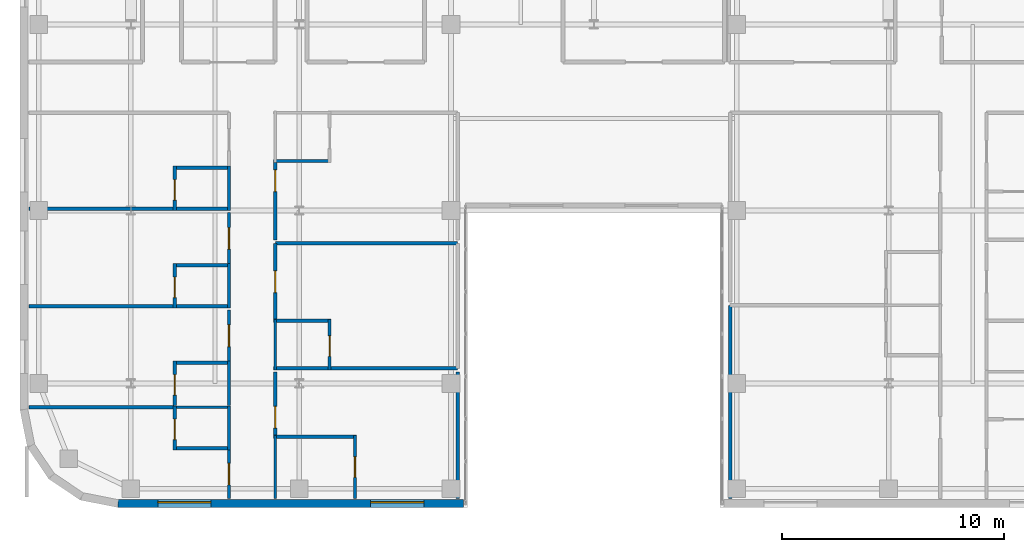
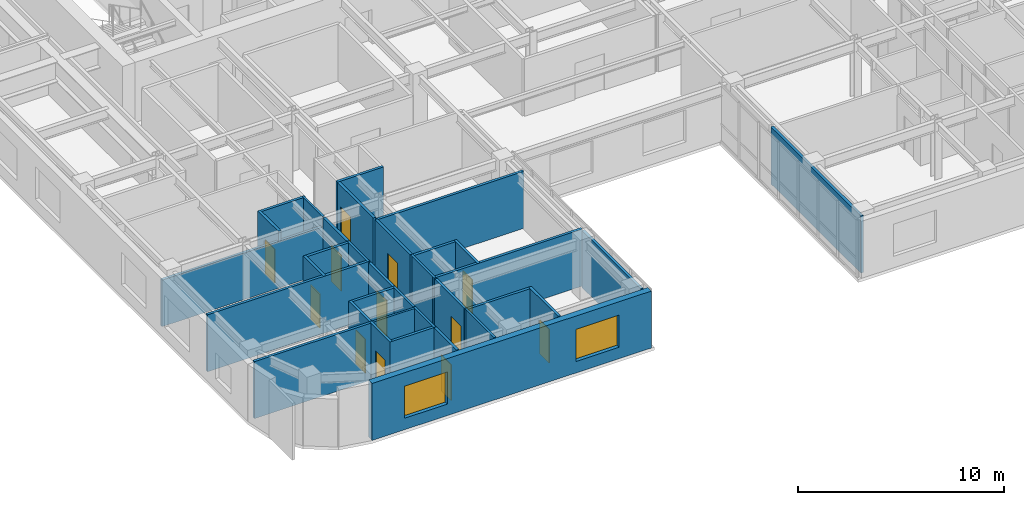
# One storey, part 7 of 14: 34 walls, 12 doors, 2 windows, 14 openings.
"""IFC4 building model written with IfcOpenShell, lengths in metres."""

from ifc_helpers import new_model, si_unit, direction, frame, frame_2d, origin, place, context, subcontext, project, spatial, rectangle, extrude, source, transform, mapped, material, layer, layer_set, type_object, type_shapes, element, fill, save


model = new_model("IFC4")

# Units and contexts
model_context = context("Model", 3, precision=1e-05, world=origin(), true_north=direction((0.0, 1.0)))
body_context = subcontext(model_context, "Body", "Model", "MODEL_VIEW")
ifc_project = project(units=[si_unit("LENGTHUNIT", "METRE"), si_unit("AREAUNIT", "SQUARE_METRE"), si_unit("VOLUMEUNIT", "CUBIC_METRE"), si_unit("PLANEANGLEUNIT", "RADIAN"), si_unit("MASSUNIT", "GRAM", prefix="KILO")], contexts=[model_context])

# Site, building, storey
site_placement = place(None, origin())
site = spatial("IfcSite", under=ifc_project, at=site_placement, CompositionType="ELEMENT")
building_placement = place(site_placement, origin())
building = spatial("IfcBuilding", under=site, at=building_placement, Name="Tolvann Quenvar Hotel", CompositionType="ELEMENT")
storey_placement = place(building_placement, frame((0.0, 0.0, 187.550048828125)))
storey = spatial("IfcBuildingStorey", under=building, at=storey_placement, Name="L49", CompositionType="ELEMENT", Elevation=187.550048828125)

# Wall, openings, windows
ifc_material_1 = material(Name="Kiln-fired red and buff architectural clay brickwork and terracotta masonry", Category="masonry")
ifc_layer_1 = layer(ifc_material_1, 0.35009765625)
ifc_layer_set_1 = layer_set([ifc_layer_1], Name="Kiln-fired red and buff architectural clay brickwork and terracotta masonry")
wall_type_1 = type_object("IfcWallType", Name="WALL_EXT_BRICK_350", PredefinedType="SOLIDWALL", material=ifc_layer_set_1)
wall_1_placement = place(storey_placement, frame((7.01708984375, 2.77490234375, 0.0), z_axis=(0.0, 0.0, 1.0), x_axis=(1.0, 0.0, 0.0)))
wall_1 = element("IfcWall", 1, at=wall_1_placement, inside=storey, type_object=wall_type_1, Name="Exterior Chicago Brick Wall L49-E04", PredefinedType="SOLIDWALL", context=body_context, shape_type="SweptSolid", body=[
    extrude(rectangle(XDim=15.60791015625, YDim=0.35009765625, at=frame_2d((7.803955078125, 0.0))), origin(), (0.0, 0.0, 1.0), 3.369873046875),
])
opening_1_placement = place(wall_1_placement, frame((1.801025390625, 0.0, 0.679931640625)))
opening_1 = element("IfcOpeningElement", 2, at=opening_1_placement, cuts=wall_1, Name="Opening W-01", PredefinedType="OPENING", context=body_context, shape_type="SweptSolid", body=[
    extrude(rectangle(XDim=2.39990234375, YDim=1.89990234375, at=frame_2d((1.199951171875, 0.949951171875))), frame((0.0, 0.18505859375, 0.0), z_axis=(0.0, -1.0, 0.0), x_axis=(1.0, 0.0, 0.0)), (0.0, 0.0, 1.0), 0.3701171875),
])
opening_2_placement = place(wall_1_placement, frame((11.406982421875, 0.0, 0.679931640625)))
opening_2 = element("IfcOpeningElement", 3, at=opening_2_placement, cuts=wall_1, Name="Opening W-01", PredefinedType="OPENING", context=body_context, shape_type="SweptSolid", body=[
    extrude(rectangle(XDim=2.39990234375, YDim=1.89990234375, at=frame_2d((1.199951171875, 0.949951171875))), frame((0.0, 0.18505859375, 0.0), z_axis=(0.0, -1.0, 0.0), x_axis=(1.0, 0.0, 0.0)), (0.0, 0.0, 1.0), 0.3701171875),
])
ifc_material_2 = material(Name="Thermally broken bronze-anodised aluminium frame with double low-E glazing", Category="aluminium")
window_type = type_object("IfcWindowType", Name="WIN_CHI_2400x2050", PartitioningType="TRIPLE_PANEL_HORIZONTAL", PredefinedType="WINDOW", material=ifc_material_2)
shared_shape_1 = source(origin(), body_context, "Body", "SweptSolid", [
    extrude(rectangle(XDim=2.39990234375, YDim=1.89990234375, at=frame_2d((1.199951171875, 0.949951171875))), frame((0.0, 0.090087890625, 0.0), z_axis=(0.0, -1.0, 0.0), x_axis=(1.0, 0.0, 0.0)), (0.0, 0.0, 1.0), 0.06005859375),
])
type_shapes(window_type, [shared_shape_1])
window_1_placement = place(opening_1_placement, origin())
window_1 = element("IfcWindow", 4, at=window_1_placement, inside=storey, type_object=window_type, Name="Chicago Window W-01 (EW-L49-E04-W01)", OverallHeight=1.89990234375, OverallWidth=2.39990234375, PartitioningType="TRIPLE_PANEL_HORIZONTAL", PredefinedType="WINDOW", context=body_context, shape_type="MappedRepresentation", body=[
    mapped(shared_shape_1, transform((0.0, 0.0, 0.0), x_axis=(1.0, 0.0, 0.0), y_axis=(0.0, 1.0, 0.0), z_axis=(0.0, 0.0, 1.0), scale=1.0)),
])
fill(opening_1, window_1)
window_2_placement = place(opening_2_placement, origin())
window_2 = element("IfcWindow", 5, at=window_2_placement, inside=storey, type_object=window_type, Name="Chicago Window W-01 (EW-L49-E04-W02)", OverallHeight=1.89990234375, OverallWidth=2.39990234375, PartitioningType="TRIPLE_PANEL_HORIZONTAL", PredefinedType="WINDOW", context=body_context, shape_type="MappedRepresentation", body=[
    mapped(shared_shape_1, transform((0.0, 0.0, 0.0), x_axis=(1.0, 0.0, 0.0), y_axis=(0.0, 1.0, 0.0), z_axis=(0.0, 0.0, 1.0), scale=1.0)),
])
fill(opening_2, window_2)

# Walls
ifc_material_3 = material(Name="Moisture-resistant acoustic plumbing wall assembly")
ifc_layer_2 = layer(ifc_material_3, 0.1201171875)
ifc_layer_set_2 = layer_set([ifc_layer_2], Name="Moisture-resistant acoustic plumbing wall assembly")
wall_type_2 = type_object("IfcWallType", Name="WALL_PART_BATH_120", PredefinedType="PLUMBINGWALL", material=ifc_layer_set_2)
wall_2_placement = place(storey_placement, frame((9.510009765625, 7.1201171875, 0.0), z_axis=(0.0, 0.0, 1.0), x_axis=(1.0, 0.0, 0.0)))
element("IfcWall", 6, at=wall_2_placement, inside=storey, type_object=wall_type_2, Name="Non-Rated Plumbing Partition PT-SPC-L49-ENS-WO01-N", PredefinedType="PLUMBINGWALL", context=body_context, shape_type="SweptSolid", body=[
    extrude(rectangle(XDim=2.590087890625, YDim=0.1201171875, at=frame_2d((1.294921875, 0.0))), origin(), (0.0, 0.0, 1.0), 3.369873046875),
])
for number, where, z_axis, x_axis, name in (
    (7, (12.030029296875, 5.199951171875, 0.0), (0.0, 0.0, 1.0), (0.0, 1.0, 0.0), "Non-Rated Plumbing Partition PT-SPC-L49-ENS-WO01-E"),
    (8, (12.030029296875, 7.2099609375, 0.0), (0.0, 0.0, 1.0), (0.0, 1.0, 0.0), "Non-Rated Plumbing Partition PT-SPC-L49-ENS-WO02-E"),
    (9, (12.030029296875, 11.610107421875, 0.0), (0.0, 0.0, 1.0), (0.0, 1.0, 0.0), "Non-Rated Plumbing Partition PT-SPC-L49-ENS-WO03-E"),
    (10, (12.030029296875, 16.010009765625, 0.0), (0.0, 0.0, 1.0), (0.0, 1.0, 0.0), "Non-Rated Plumbing Partition PT-SPC-L49-ENS-WO04-E"),
):
    element("IfcWall", number, at=place(storey_placement, frame(where, z_axis=z_axis, x_axis=x_axis)), inside=storey, type_object=wall_type_2, Name=name, PredefinedType="PLUMBINGWALL", context=body_context, shape_type="SweptSolid", body=[
        extrude(rectangle(XDim=1.989990234375, YDim=0.1201171875, at=frame_2d((0.9951171875, 0.0))), origin(), (0.0, 0.0, 1.0), 3.369873046875),
    ])
wall_3_placement = place(storey_placement, frame((14.1201171875, 3.0048828125, 0.0), z_axis=(0.0, 0.0, 1.0), x_axis=(0.0, 1.0, 0.0)))
element("IfcWall", 11, at=wall_3_placement, inside=storey, type_object=wall_type_2, Name="Non-Rated Plumbing Partition PT-SPC-L49-ENS-WI01-W", PredefinedType="PLUMBINGWALL", context=body_context, shape_type="SweptSolid", body=[
    extrude(rectangle(XDim=2.85205078125, YDim=0.1201171875, at=frame_2d((1.426025390625, 0.0))), origin(), (0.0, 0.0, 1.0), 3.369873046875),
])
wall_4_placement = place(storey_placement, frame((14.1201171875, 8.81005859375, 0.0), z_axis=(0.0, 0.0, 1.0), x_axis=(0.0, 1.0, 0.0)))
element("IfcWall", 12, at=wall_4_placement, inside=storey, type_object=wall_type_2, Name="Non-Rated Plumbing Partition PT-SPC-L49-ENS-WI02-W", PredefinedType="PLUMBINGWALL", context=body_context, shape_type="SweptSolid", body=[
    extrude(rectangle(XDim=2.282958984375, YDim=0.1201171875, at=frame_2d((1.1416015625, 0.0))), origin(), (0.0, 0.0, 1.0), 3.369873046875),
])

# Wall, opening, door
ifc_material_4 = material(Name="Acoustic twin-stud fire-rated gypsum plasterboard partition")
ifc_layer_3 = layer(ifc_material_4, 0.14990234375)
ifc_layer_set_3 = layer_set([ifc_layer_3], Name="Acoustic twin-stud fire-rated gypsum plasterboard partition")
wall_type_3 = type_object("IfcWallType", Name="WALL_PART_SUITE_150", PredefinedType="PARTITIONING", material=ifc_layer_set_3)
wall_5_placement = place(storey_placement, frame((9.580078125, 5.199951171875, 0.0), z_axis=(0.0, 0.0, 1.0), x_axis=(0.0, 1.0, 0.0)))
wall_5 = element("IfcWall", 13, at=wall_5_placement, inside=storey, type_object=wall_type_3, Name="Interior Partition PT-SPC-L49-ENS-WO01-ENT", PredefinedType="PARTITIONING", context=body_context, shape_type="SweptSolid", body=[
    extrude(rectangle(XDim=1.989990234375, YDim=0.14990234375, at=frame_2d((0.9951171875, 0.0))), origin(), (0.0, 0.0, 1.0), 3.369873046875),
])
opening_3_placement = place(wall_5_placement, frame((0.465087890625, 0.0, 0.0)))
opening_3 = element("IfcOpeningElement", 14, at=opening_3_placement, cuts=wall_5, Name="Opening WD-01", PredefinedType="OPENING", context=body_context, shape_type="SweptSolid", body=[
    extrude(rectangle(XDim=0.919921875, YDim=2.010009765625, at=frame_2d((0.4599609375, 1.0048828125))), frame((0.0, 0.0849609375, 0.0), z_axis=(0.0, -1.0, 0.0), x_axis=(1.0, 0.0, 0.0)), (0.0, 0.0, 1.0), 0.169921875),
])
ifc_material_5 = material(Name="Solid-core American oak acoustic fire door leaf in steel frame", Category="steel")
door_type_1 = type_object("IfcDoorType", Name="DOOR_WC_920", OperationType="NOTDEFINED", PredefinedType="DOOR", material=ifc_material_5)
shared_shape_2 = source(origin(), body_context, "Body", "SweptSolid", [
    extrude(rectangle(XDim=0.919921875, YDim=2.010009765625, at=frame_2d((0.4599609375, 1.0048828125))), frame((0.0, 0.02490234375, 0.0), z_axis=(0.0, -1.0, 0.0), x_axis=(1.0, 0.0, 0.0)), (0.0, 0.0, 1.0), 0.050048828125),
])
type_shapes(door_type_1, [shared_shape_2])
door_1_placement = place(opening_3_placement, origin())
door_1 = element("IfcDoor", 15, at=door_1_placement, inside=storey, type_object=door_type_1, Name="Interior Door DOOR-SPC-L49-ENS-WO01", OperationType="SINGLE_SWING_LEFT", OverallHeight=2.010009765625, OverallWidth=0.919921875, PredefinedType="DOOR", context=body_context, shape_type="MappedRepresentation", body=[
    mapped(shared_shape_2, transform((0.0, 0.0, 0.0), x_axis=(1.0, 0.0, 0.0), y_axis=(0.0, 1.0, 0.0), z_axis=(0.0, 0.0, 1.0), scale=1.0)),
])
fill(opening_3, door_1)

# Wall
wall_6_placement = place(storey_placement, frame((9.510009765625, 5.27001953125, 0.0), z_axis=(0.0, 0.0, 1.0), x_axis=(1.0, 0.0, 0.0)))
element("IfcWall", 16, at=wall_6_placement, inside=storey, type_object=wall_type_3, Name="Interior Partition PT-SPC-L49-ENS-WO01-S", PredefinedType="PARTITIONING", context=body_context, shape_type="SweptSolid", body=[
    extrude(rectangle(XDim=2.590087890625, YDim=0.14990234375, at=frame_2d((1.294921875, 0.0))), origin(), (0.0, 0.0, 1.0), 3.369873046875),
])

# Wall, opening, door
wall_7_placement = place(storey_placement, frame((9.580078125, 7.2099609375, 0.0), z_axis=(0.0, 0.0, 1.0), x_axis=(0.0, 1.0, 0.0)))
wall_7 = element("IfcWall", 17, at=wall_7_placement, inside=storey, type_object=wall_type_3, Name="Interior Partition PT-SPC-L49-ENS-WO02-ENT", PredefinedType="PARTITIONING", context=body_context, shape_type="SweptSolid", body=[
    extrude(rectangle(XDim=1.989990234375, YDim=0.14990234375, at=frame_2d((0.9951171875, 0.0))), origin(), (0.0, 0.0, 1.0), 3.369873046875),
])
opening_4_placement = place(wall_7_placement, frame((0.465087890625, 0.0, 0.0)))
opening_4 = element("IfcOpeningElement", 18, at=opening_4_placement, cuts=wall_7, Name="Opening WD-01", PredefinedType="OPENING", context=body_context, shape_type="SweptSolid", body=[
    extrude(rectangle(XDim=0.919921875, YDim=2.010009765625, at=frame_2d((0.4599609375, 1.0048828125))), frame((0.0, 0.0849609375, 0.0), z_axis=(0.0, -1.0, 0.0), x_axis=(1.0, 0.0, 0.0)), (0.0, 0.0, 1.0), 0.169921875),
])
door_2_placement = place(opening_4_placement, origin())
door_2 = element("IfcDoor", 19, at=door_2_placement, inside=storey, type_object=door_type_1, Name="Interior Door DOOR-SPC-L49-ENS-WO02", OperationType="SINGLE_SWING_RIGHT", OverallHeight=2.010009765625, OverallWidth=0.919921875, PredefinedType="DOOR", context=body_context, shape_type="MappedRepresentation", body=[
    mapped(shared_shape_2, transform((0.0, 0.0, 0.0), x_axis=(1.0, 0.0, 0.0), y_axis=(0.0, 1.0, 0.0), z_axis=(0.0, 0.0, 1.0), scale=1.0)),
])
fill(opening_4, door_2)

# Wall
wall_8_placement = place(storey_placement, frame((9.510009765625, 9.1298828125, 0.0), z_axis=(0.0, 0.0, 1.0), x_axis=(1.0, 0.0, 0.0)))
element("IfcWall", 20, at=wall_8_placement, inside=storey, type_object=wall_type_3, Name="Interior Partition PT-SPC-L49-ENS-WO02-N", PredefinedType="PARTITIONING", context=body_context, shape_type="SweptSolid", body=[
    extrude(rectangle(XDim=2.590087890625, YDim=0.14990234375, at=frame_2d((1.294921875, 0.0))), origin(), (0.0, 0.0, 1.0), 3.369873046875),
])

# Wall, opening, door
wall_9_placement = place(storey_placement, frame((9.580078125, 11.610107421875, 0.0), z_axis=(0.0, 0.0, 1.0), x_axis=(0.0, 1.0, 0.0)))
wall_9 = element("IfcWall", 21, at=wall_9_placement, inside=storey, type_object=wall_type_3, Name="Interior Partition PT-SPC-L49-ENS-WO03-ENT", PredefinedType="PARTITIONING", context=body_context, shape_type="SweptSolid", body=[
    extrude(rectangle(XDim=1.989990234375, YDim=0.14990234375, at=frame_2d((0.9951171875, 0.0))), origin(), (0.0, 0.0, 1.0), 3.369873046875),
])
opening_5_placement = place(wall_9_placement, frame((0.465087890625, 0.0, 0.0)))
opening_5 = element("IfcOpeningElement", 22, at=opening_5_placement, cuts=wall_9, Name="Opening WD-01", PredefinedType="OPENING", context=body_context, shape_type="SweptSolid", body=[
    extrude(rectangle(XDim=0.919921875, YDim=2.010009765625, at=frame_2d((0.4599609375, 1.0048828125))), frame((0.0, 0.0849609375, 0.0), z_axis=(0.0, -1.0, 0.0), x_axis=(1.0, 0.0, 0.0)), (0.0, 0.0, 1.0), 0.169921875),
])
door_3_placement = place(opening_5_placement, origin())
door_3 = element("IfcDoor", 23, at=door_3_placement, inside=storey, type_object=door_type_1, Name="Interior Door DOOR-SPC-L49-ENS-WO03", OperationType="SINGLE_SWING_LEFT", OverallHeight=2.010009765625, OverallWidth=0.919921875, PredefinedType="DOOR", context=body_context, shape_type="MappedRepresentation", body=[
    mapped(shared_shape_2, transform((0.0, 0.0, 0.0), x_axis=(1.0, 0.0, 0.0), y_axis=(0.0, 1.0, 0.0), z_axis=(0.0, 0.0, 1.0), scale=1.0)),
])
fill(opening_5, door_3)

# Walls
wall_10_placement = place(storey_placement, frame((3.0048828125, 11.679931640625, 0.0), z_axis=(0.0, 0.0, 1.0), x_axis=(1.0, 0.0, 0.0)))
element("IfcWall", 24, at=wall_10_placement, inside=storey, type_object=wall_type_3, Name="Interior Partition PT-SPC-L49-ENS-WO03-S", PredefinedType="PARTITIONING", context=body_context, shape_type="SweptSolid", body=[
    extrude(rectangle(XDim=9.09521484375, YDim=0.14990234375, at=frame_2d((4.547607421875, 0.0))), origin(), (0.0, 0.0, 1.0), 3.369873046875),
])
wall_11_placement = place(storey_placement, frame((9.510009765625, 13.530029296875, 0.0), z_axis=(0.0, 0.0, 1.0), x_axis=(1.0, 0.0, 0.0)))
element("IfcWall", 25, at=wall_11_placement, inside=storey, type_object=wall_type_3, Name="Interior Partition PT-SPC-L49-ENS-WO03-N", PredefinedType="PARTITIONING", context=body_context, shape_type="SweptSolid", body=[
    extrude(rectangle(XDim=2.590087890625, YDim=0.14990234375, at=frame_2d((1.294921875, 0.0))), origin(), (0.0, 0.0, 1.0), 3.369873046875),
])

# Wall, opening, door
wall_12_placement = place(storey_placement, frame((9.580078125, 16.010009765625, 0.0), z_axis=(0.0, 0.0, 1.0), x_axis=(0.0, 1.0, 0.0)))
wall_12 = element("IfcWall", 26, at=wall_12_placement, inside=storey, type_object=wall_type_3, Name="Interior Partition PT-SPC-L49-ENS-WO04-ENT", PredefinedType="PARTITIONING", context=body_context, shape_type="SweptSolid", body=[
    extrude(rectangle(XDim=1.989990234375, YDim=0.14990234375, at=frame_2d((0.9951171875, 0.0))), origin(), (0.0, 0.0, 1.0), 3.369873046875),
])
opening_6_placement = place(wall_12_placement, frame((0.465087890625, 0.0, 0.0)))
opening_6 = element("IfcOpeningElement", 27, at=opening_6_placement, cuts=wall_12, Name="Opening WD-01", PredefinedType="OPENING", context=body_context, shape_type="SweptSolid", body=[
    extrude(rectangle(XDim=0.919921875, YDim=2.010009765625, at=frame_2d((0.4599609375, 1.0048828125))), frame((0.0, 0.0849609375, 0.0), z_axis=(0.0, -1.0, 0.0), x_axis=(1.0, 0.0, 0.0)), (0.0, 0.0, 1.0), 0.169921875),
])
door_4_placement = place(opening_6_placement, origin())
door_4 = element("IfcDoor", 28, at=door_4_placement, inside=storey, type_object=door_type_1, Name="Interior Door DOOR-SPC-L49-ENS-WO04", OperationType="SINGLE_SWING_RIGHT", OverallHeight=2.010009765625, OverallWidth=0.919921875, PredefinedType="DOOR", context=body_context, shape_type="MappedRepresentation", body=[
    mapped(shared_shape_2, transform((0.0, 0.0, 0.0), x_axis=(1.0, 0.0, 0.0), y_axis=(0.0, 1.0, 0.0), z_axis=(0.0, 0.0, 1.0), scale=1.0)),
])
fill(opening_6, door_4)

# Walls
wall_13_placement = place(storey_placement, frame((3.0048828125, 16.080078125, 0.0), z_axis=(0.0, 0.0, 1.0), x_axis=(1.0, 0.0, 0.0)))
element("IfcWall", 29, at=wall_13_placement, inside=storey, type_object=wall_type_3, Name="Interior Partition PT-SPC-L49-ENS-WO04-S", PredefinedType="PARTITIONING", context=body_context, shape_type="SweptSolid", body=[
    extrude(rectangle(XDim=9.09521484375, YDim=0.14990234375, at=frame_2d((4.547607421875, 0.0))), origin(), (0.0, 0.0, 1.0), 2.758056640625),
])
wall_14_placement = place(storey_placement, frame((9.510009765625, 17.929931640625, 0.0), z_axis=(0.0, 0.0, 1.0), x_axis=(1.0, 0.0, 0.0)))
element("IfcWall", 30, at=wall_14_placement, inside=storey, type_object=wall_type_3, Name="Interior Partition PT-SPC-L49-ENS-WO04-N", PredefinedType="PARTITIONING", context=body_context, shape_type="SweptSolid", body=[
    extrude(rectangle(XDim=2.590087890625, YDim=0.14990234375, at=frame_2d((1.294921875, 0.0))), origin(), (0.0, 0.0, 1.0), 3.369873046875),
])

# Wall, opening, door
wall_15_placement = place(storey_placement, frame((17.719970703125, 3.0048828125, 0.0), z_axis=(0.0, 0.0, 1.0), x_axis=(0.0, 1.0, 0.0)))
wall_15 = element("IfcWall", 31, at=wall_15_placement, inside=storey, type_object=wall_type_3, Name="Interior Partition PT-SPC-L49-ENS-WI01-ENT", PredefinedType="PARTITIONING", context=body_context, shape_type="SweptSolid", body=[
    extrude(rectangle(XDim=2.85205078125, YDim=0.14990234375, at=frame_2d((1.426025390625, 0.0))), origin(), (0.0, 0.0, 1.0), 3.369873046875),
])
opening_7_placement = place(wall_15_placement, frame((0.95849609375, 0.0, 0.0)))
opening_7 = element("IfcOpeningElement", 32, at=opening_7_placement, cuts=wall_15, Name="Opening WD-01", PredefinedType="OPENING", context=body_context, shape_type="SweptSolid", body=[
    extrude(rectangle(XDim=0.919921875, YDim=2.010009765625, at=frame_2d((0.4599609375, 1.0048828125))), frame((0.0, 0.0849609375, 0.0), z_axis=(0.0, -1.0, 0.0), x_axis=(1.0, 0.0, 0.0)), (0.0, 0.0, 1.0), 0.169921875),
])
door_5_placement = place(opening_7_placement, origin())
door_5 = element("IfcDoor", 33, at=door_5_placement, inside=storey, type_object=door_type_1, Name="Interior Door DOOR-SPC-L49-ENS-WI01", OperationType="SINGLE_SWING_LEFT", OverallHeight=2.010009765625, OverallWidth=0.919921875, PredefinedType="DOOR", context=body_context, shape_type="MappedRepresentation", body=[
    mapped(shared_shape_2, transform((0.0, 0.0, 0.0), x_axis=(1.0, 0.0, 0.0), y_axis=(0.0, 1.0, 0.0), z_axis=(0.0, 0.0, 1.0), scale=1.0)),
])
fill(opening_7, door_5)

# Wall
wall_16_placement = place(storey_placement, frame((14.050048828125, 5.787109375, 0.0), z_axis=(0.0, 0.0, 1.0), x_axis=(1.0, 0.0, 0.0)))
element("IfcWall", 34, at=wall_16_placement, inside=storey, type_object=wall_type_3, Name="Interior Partition PT-SPC-L49-ENS-WI01-N", PredefinedType="PARTITIONING", context=body_context, shape_type="SweptSolid", body=[
    extrude(rectangle(XDim=3.739990234375, YDim=0.14990234375, at=frame_2d((1.8701171875, 0.0))), origin(), (0.0, 0.0, 1.0), 3.369873046875),
])

# Wall, opening, door
wall_17_placement = place(storey_placement, frame((16.570068359375, 8.81005859375, 0.0), z_axis=(0.0, 0.0, 1.0), x_axis=(0.0, 1.0, 0.0)))
wall_17 = element("IfcWall", 35, at=wall_17_placement, inside=storey, type_object=wall_type_3, Name="Interior Partition PT-SPC-L49-ENS-WI02-ENT", PredefinedType="PARTITIONING", context=body_context, shape_type="SweptSolid", body=[
    extrude(rectangle(XDim=2.282958984375, YDim=0.14990234375, at=frame_2d((1.1416015625, 0.0))), origin(), (0.0, 0.0, 1.0), 3.369873046875),
])
opening_8_placement = place(wall_17_placement, frame((0.611572265625, 0.0, 0.0)))
opening_8 = element("IfcOpeningElement", 36, at=opening_8_placement, cuts=wall_17, Name="Opening WD-01", PredefinedType="OPENING", context=body_context, shape_type="SweptSolid", body=[
    extrude(rectangle(XDim=0.919921875, YDim=2.010009765625, at=frame_2d((0.4599609375, 1.0048828125))), frame((0.0, 0.0849609375, 0.0), z_axis=(0.0, -1.0, 0.0), x_axis=(1.0, 0.0, 0.0)), (0.0, 0.0, 1.0), 0.169921875),
])
door_6_placement = place(opening_8_placement, origin())
door_6 = element("IfcDoor", 37, at=door_6_placement, inside=storey, type_object=door_type_1, Name="Interior Door DOOR-SPC-L49-ENS-WI02", OperationType="SINGLE_SWING_RIGHT", OverallHeight=2.010009765625, OverallWidth=0.919921875, PredefinedType="DOOR", context=body_context, shape_type="MappedRepresentation", body=[
    mapped(shared_shape_2, transform((0.0, 0.0, 0.0), x_axis=(1.0, 0.0, 0.0), y_axis=(0.0, 1.0, 0.0), z_axis=(0.0, 0.0, 1.0), scale=1.0)),
])
fill(opening_8, door_6)

# Walls
wall_18_placement = place(storey_placement, frame((14.050048828125, 8.8798828125, 0.0), z_axis=(0.0, 0.0, 1.0), x_axis=(1.0, 0.0, 0.0)))
element("IfcWall", 38, at=wall_18_placement, inside=storey, type_object=wall_type_3, Name="Interior Partition PT-SPC-L49-ENS-WI02-S", PredefinedType="PARTITIONING", context=body_context, shape_type="SweptSolid", body=[
    extrude(rectangle(XDim=8.300048828125, YDim=0.14990234375, at=frame_2d((4.14990234375, 0.0))), origin(), (0.0, 0.0, 1.0), 3.369873046875),
])
for number, where, z_axis, x_axis, name in (
    (39, (14.050048828125, 11.02294921875, 0.0), (0.0, 0.0, 1.0), (1.0, 0.0, 0.0), "Interior Partition PT-SPC-L49-ENS-WI02-N"),
    (40, (14.050048828125, 18.239013671875, 0.0), (0.0, 0.0, 1.0), (1.0, 0.0, 0.0), "Interior Partition PT-SPC-L49-ENS-WI03-S"),
):
    element("IfcWall", number, at=place(storey_placement, frame(where, z_axis=z_axis, x_axis=x_axis)), inside=storey, type_object=wall_type_3, Name=name, PredefinedType="PARTITIONING", context=body_context, shape_type="SweptSolid", body=[
        extrude(rectangle(XDim=2.58984375, YDim=0.14990234375, at=frame_2d((1.294921875, 0.0))), origin(), (0.0, 0.0, 1.0), 3.369873046875),
    ])

# Wall, opening, door
wall_19_placement = place(storey_placement, frame((12.030029296875, 3.0048828125, 0.0), z_axis=(0.0, 0.0, 1.0), x_axis=(0.0, 1.0, 0.0)))
wall_19 = element("IfcWall", 41, at=wall_19_placement, inside=storey, type_object=wall_type_3, Name="Interior Partition PT-SPC-L49-RM-WO01-ENT", PredefinedType="PARTITIONING", context=body_context, shape_type="SweptSolid", body=[
    extrude(rectangle(XDim=2.18505859375, YDim=0.14990234375, at=frame_2d((1.092529296875, 0.0))), origin(), (0.0, 0.0, 1.0), 3.369873046875),
])
opening_9_placement = place(wall_19_placement, frame((0.610107421875, 0.0, 0.0)))
opening_9 = element("IfcOpeningElement", 42, at=opening_9_placement, cuts=wall_19, Name="Opening SD-01", PredefinedType="OPENING", context=body_context, shape_type="SweptSolid", body=[
    extrude(rectangle(XDim=0.97998046875, YDim=2.1201171875, at=frame_2d((0.489990234375, 1.06005859375))), frame((0.0, 0.0849609375, 0.0), z_axis=(0.0, -1.0, 0.0), x_axis=(1.0, 0.0, 0.0)), (0.0, 0.0, 1.0), 0.169921875),
])
door_type_2 = type_object("IfcDoorType", Name="DOOR_SUITE_980", OperationType="NOTDEFINED", PredefinedType="DOOR", material=ifc_material_5)
shared_shape_3 = source(origin(), body_context, "Body", "SweptSolid", [
    extrude(rectangle(XDim=0.97998046875, YDim=2.1201171875, at=frame_2d((0.489990234375, 1.06005859375))), frame((0.0, 0.02490234375, 0.0), z_axis=(0.0, -1.0, 0.0), x_axis=(1.0, 0.0, 0.0)), (0.0, 0.0, 1.0), 0.050048828125),
])
type_shapes(door_type_2, [shared_shape_3])
door_7_placement = place(opening_9_placement, origin())
door_7 = element("IfcDoor", 43, at=door_7_placement, inside=storey, type_object=door_type_2, Name="Interior Door DOOR-SPC-L49-RM-WO01", OperationType="SINGLE_SWING_RIGHT", OverallHeight=2.1201171875, OverallWidth=0.97998046875, PredefinedType="DOOR", context=body_context, shape_type="MappedRepresentation", body=[
    mapped(shared_shape_3, transform((0.0, 0.0, 0.0), x_axis=(1.0, 0.0, 0.0), y_axis=(0.0, 1.0, 0.0), z_axis=(0.0, 0.0, 1.0), scale=1.0)),
])
fill(opening_9, door_7)

# Wall
wall_20_placement = place(storey_placement, frame((3.0048828125, 7.1201171875, 0.0), z_axis=(0.0, 0.0, 1.0), x_axis=(1.0, 0.0, 0.0)))
element("IfcWall", 44, at=wall_20_placement, inside=storey, type_object=wall_type_3, Name="Interior Partition PT-SPC-L49-RM-WO01-E5", PredefinedType="PARTITIONING", context=body_context, shape_type="SweptSolid", body=[
    extrude(rectangle(XDim=6.55517578125, YDim=0.14990234375, at=frame_2d((3.277587890625, 0.0))), origin(), (0.0, 0.0, 1.0), 3.369873046875),
])

# Wall, opening, door
wall_21_placement = place(storey_placement, frame((12.030029296875, 9.2099609375, 0.0), z_axis=(0.0, 0.0, 1.0), x_axis=(0.0, 1.0, 0.0)))
wall_21 = element("IfcWall", 45, at=wall_21_placement, inside=storey, type_object=wall_type_3, Name="Interior Partition PT-SPC-L49-RM-WO02-ENT", PredefinedType="PARTITIONING", context=body_context, shape_type="SweptSolid", body=[
    extrude(rectangle(XDim=2.31005859375, YDim=0.14990234375, at=frame_2d((1.155029296875, 0.0))), origin(), (0.0, 0.0, 1.0), 3.369873046875),
])
opening_10_placement = place(wall_21_placement, frame((0.64501953125, 0.0, 0.0)))
opening_10 = element("IfcOpeningElement", 46, at=opening_10_placement, cuts=wall_21, Name="Opening SD-01", PredefinedType="OPENING", context=body_context, shape_type="SweptSolid", body=[
    extrude(rectangle(XDim=0.97998046875, YDim=2.1201171875, at=frame_2d((0.489990234375, 1.06005859375))), frame((0.0, 0.0849609375, 0.0), z_axis=(0.0, -1.0, 0.0), x_axis=(1.0, 0.0, 0.0)), (0.0, 0.0, 1.0), 0.169921875),
])
door_8_placement = place(opening_10_placement, origin())
door_8 = element("IfcDoor", 47, at=door_8_placement, inside=storey, type_object=door_type_2, Name="Interior Door DOOR-SPC-L49-RM-WO02", OperationType="SINGLE_SWING_LEFT", OverallHeight=2.1201171875, OverallWidth=0.97998046875, PredefinedType="DOOR", context=body_context, shape_type="MappedRepresentation", body=[
    mapped(shared_shape_3, transform((0.0, 0.0, 0.0), x_axis=(1.0, 0.0, 0.0), y_axis=(0.0, 1.0, 0.0), z_axis=(0.0, 0.0, 1.0), scale=1.0)),
])
fill(opening_10, door_8)

wall_22_placement = place(storey_placement, frame((12.030029296875, 13.610107421875, 0.0), z_axis=(0.0, 0.0, 1.0), x_axis=(0.0, 1.0, 0.0)))
wall_22 = element("IfcWall", 48, at=wall_22_placement, inside=storey, type_object=wall_type_3, Name="Interior Partition PT-SPC-L49-RM-WO03-ENT", PredefinedType="PARTITIONING", context=body_context, shape_type="SweptSolid", body=[
    extrude(rectangle(XDim=2.309814453125, YDim=0.14990234375, at=frame_2d((1.15478515625, 0.0))), origin(), (0.0, 0.0, 1.0), 3.369873046875),
])
opening_11_placement = place(wall_22_placement, frame((0.64501953125, 0.0, 0.0)))
opening_11 = element("IfcOpeningElement", 49, at=opening_11_placement, cuts=wall_22, Name="Opening SD-01", PredefinedType="OPENING", context=body_context, shape_type="SweptSolid", body=[
    extrude(rectangle(XDim=0.97998046875, YDim=2.1201171875, at=frame_2d((0.489990234375, 1.06005859375))), frame((0.0, 0.0849609375, 0.0), z_axis=(0.0, -1.0, 0.0), x_axis=(1.0, 0.0, 0.0)), (0.0, 0.0, 1.0), 0.169921875),
])
door_9_placement = place(opening_11_placement, origin())
door_9 = element("IfcDoor", 50, at=door_9_placement, inside=storey, type_object=door_type_2, Name="Interior Door DOOR-SPC-L49-RM-WO03", OperationType="SINGLE_SWING_RIGHT", OverallHeight=2.1201171875, OverallWidth=0.97998046875, PredefinedType="DOOR", context=body_context, shape_type="MappedRepresentation", body=[
    mapped(shared_shape_3, transform((0.0, 0.0, 0.0), x_axis=(1.0, 0.0, 0.0), y_axis=(0.0, 1.0, 0.0), z_axis=(0.0, 0.0, 1.0), scale=1.0)),
])
fill(opening_11, door_9)

wall_23_placement = place(storey_placement, frame((14.1201171875, 5.866943359375, 0.0), z_axis=(0.0, 0.0, 1.0), x_axis=(0.0, 1.0, 0.0)))
wall_23 = element("IfcWall", 51, at=wall_23_placement, inside=storey, type_object=wall_type_3, Name="Interior Partition PT-SPC-L49-RM-WI01-ENT", PredefinedType="PARTITIONING", context=body_context, shape_type="SweptSolid", body=[
    extrude(rectangle(XDim=2.85302734375, YDim=0.14990234375, at=frame_2d((1.426513671875, 0.0))), origin(), (0.0, 0.0, 1.0), 3.369873046875),
])
opening_12_placement = place(wall_23_placement, frame((0.31640625, 0.0, 0.0)))
opening_12 = element("IfcOpeningElement", 52, at=opening_12_placement, cuts=wall_23, Name="Opening SD-01", PredefinedType="OPENING", context=body_context, shape_type="SweptSolid", body=[
    extrude(rectangle(XDim=0.97998046875, YDim=2.1201171875, at=frame_2d((0.489990234375, 1.06005859375))), frame((0.0, 0.0849609375, 0.0), z_axis=(0.0, -1.0, 0.0), x_axis=(1.0, 0.0, 0.0)), (0.0, 0.0, 1.0), 0.169921875),
])
door_10_placement = place(opening_12_placement, origin())
door_10 = element("IfcDoor", 53, at=door_10_placement, inside=storey, type_object=door_type_2, Name="Interior Door DOOR-SPC-L49-RM-WI01", OperationType="SINGLE_SWING_RIGHT", OverallHeight=2.1201171875, OverallWidth=0.97998046875, PredefinedType="DOOR", context=body_context, shape_type="MappedRepresentation", body=[
    mapped(shared_shape_3, transform((0.0, 0.0, 0.0), x_axis=(1.0, 0.0, 0.0), y_axis=(0.0, 1.0, 0.0), z_axis=(0.0, 0.0, 1.0), scale=1.0)),
])
fill(opening_12, door_10)

# Wall
wall_24_placement = place(storey_placement, frame((22.35009765625, 3.0048828125, 0.0), z_axis=(0.0, 0.0, 1.0), x_axis=(0.0, 1.0, 0.0)))
element("IfcWall", 54, at=wall_24_placement, inside=storey, type_object=wall_type_3, Name="Interior Partition PT-SPC-L49-RM-WI01-E4", PredefinedType="PARTITIONING", context=body_context, shape_type="SweptSolid", body=[
    extrude(rectangle(XDim=5.715087890625, YDim=0.14990234375, at=frame_2d((2.857421875, 0.0))), origin(), (0.0, 0.0, 1.0), 3.369873046875),
])

# Wall, opening, door
wall_25_placement = place(storey_placement, frame((14.1201171875, 11.10302734375, 0.0), z_axis=(0.0, 0.0, 1.0), x_axis=(0.0, 1.0, 0.0)))
wall_25 = element("IfcWall", 55, at=wall_25_placement, inside=storey, type_object=wall_type_3, Name="Interior Partition PT-SPC-L49-RM-WI02-ENT", PredefinedType="PARTITIONING", context=body_context, shape_type="SweptSolid", body=[
    extrude(rectangle(XDim=3.4169921875, YDim=0.14990234375, at=frame_2d((1.70849609375, 0.0))), origin(), (0.0, 0.0, 1.0), 3.369873046875),
])
opening_13_placement = place(wall_25_placement, frame((1.198486328125, 0.0, 0.0)))
opening_13 = element("IfcOpeningElement", 56, at=opening_13_placement, cuts=wall_25, Name="Opening SD-01", PredefinedType="OPENING", context=body_context, shape_type="SweptSolid", body=[
    extrude(rectangle(XDim=0.97998046875, YDim=2.1201171875, at=frame_2d((0.489990234375, 1.06005859375))), frame((0.0, 0.0849609375, 0.0), z_axis=(0.0, -1.0, 0.0), x_axis=(1.0, 0.0, 0.0)), (0.0, 0.0, 1.0), 0.169921875),
])
door_11_placement = place(opening_13_placement, origin())
door_11 = element("IfcDoor", 57, at=door_11_placement, inside=storey, type_object=door_type_2, Name="Interior Door DOOR-SPC-L49-RM-WI02", OperationType="SINGLE_SWING_LEFT", OverallHeight=2.1201171875, OverallWidth=0.97998046875, PredefinedType="DOOR", context=body_context, shape_type="MappedRepresentation", body=[
    mapped(shared_shape_3, transform((0.0, 0.0, 0.0), x_axis=(1.0, 0.0, 0.0), y_axis=(0.0, 1.0, 0.0), z_axis=(0.0, 0.0, 1.0), scale=1.0)),
])
fill(opening_13, door_11)

# Wall
wall_26_placement = place(storey_placement, frame((14.1201171875, 14.52001953125, 0.0), z_axis=(0.0, 0.0, 1.0), x_axis=(1.0, 0.0, 0.0)))
element("IfcWall", 58, at=wall_26_placement, inside=storey, type_object=wall_type_3, Name="Interior Partition PT-SPC-L49-RM-WI02-E5", PredefinedType="PARTITIONING", context=body_context, shape_type="SweptSolid", body=[
    extrude(rectangle(XDim=8.22998046875, YDim=0.14990234375, at=frame_2d((4.114990234375, 0.0))), origin(), (0.0, 0.0, 1.0), 3.369873046875),
])

# Wall, opening, door
wall_27_placement = place(storey_placement, frame((14.1201171875, 14.679931640625, 0.0), z_axis=(0.0, 0.0, 1.0), x_axis=(0.0, 1.0, 0.0)))
wall_27 = element("IfcWall", 59, at=wall_27_placement, inside=storey, type_object=wall_type_3, Name="Interior Partition PT-SPC-L49-RM-WI03-ENT", PredefinedType="PARTITIONING", context=body_context, shape_type="SweptSolid", body=[
    extrude(rectangle(XDim=3.47900390625, YDim=0.14990234375, at=frame_2d((1.739501953125, 0.0))), origin(), (0.0, 0.0, 1.0), 3.369873046875),
])
opening_14_placement = place(wall_27_placement, frame((2.179443359375, 0.0, 0.0)))
opening_14 = element("IfcOpeningElement", 60, at=opening_14_placement, cuts=wall_27, Name="Opening SD-01", PredefinedType="OPENING", context=body_context, shape_type="SweptSolid", body=[
    extrude(rectangle(XDim=0.97998046875, YDim=2.1201171875, at=frame_2d((0.489990234375, 1.06005859375))), frame((0.0, 0.0849609375, 0.0), z_axis=(0.0, -1.0, 0.0), x_axis=(1.0, 0.0, 0.0)), (0.0, 0.0, 1.0), 0.169921875),
])
door_12_placement = place(opening_14_placement, origin())
door_12 = element("IfcDoor", 61, at=door_12_placement, inside=storey, type_object=door_type_2, Name="Interior Door DOOR-SPC-L49-RM-WI03", OperationType="SINGLE_SWING_RIGHT", OverallHeight=2.1201171875, OverallWidth=0.97998046875, PredefinedType="DOOR", context=body_context, shape_type="MappedRepresentation", body=[
    mapped(shared_shape_3, transform((0.0, 0.0, 0.0), x_axis=(1.0, 0.0, 0.0), y_axis=(0.0, 1.0, 0.0), z_axis=(0.0, 0.0, 1.0), scale=1.0)),
])
fill(opening_14, door_12)

# Wall
wall_28_placement = place(storey_placement, frame((34.64990234375, 3.0048828125, 0.0), z_axis=(0.0, 0.0, 1.0), x_axis=(0.0, 1.0, 0.0)))
element("IfcWall", 62, at=wall_28_placement, inside=storey, type_object=wall_type_3, Name="Interior Partition PT-SPC-L49-RM-EI01-E6", PredefinedType="PARTITIONING", context=body_context, shape_type="SweptSolid", body=[
    extrude(rectangle(XDim=8.715087890625, YDim=0.14990234375, at=frame_2d((4.357421875, 0.0))), origin(), (0.0, 0.0, 1.0), 3.369873046875),
])

save(model, "model.ifc")
